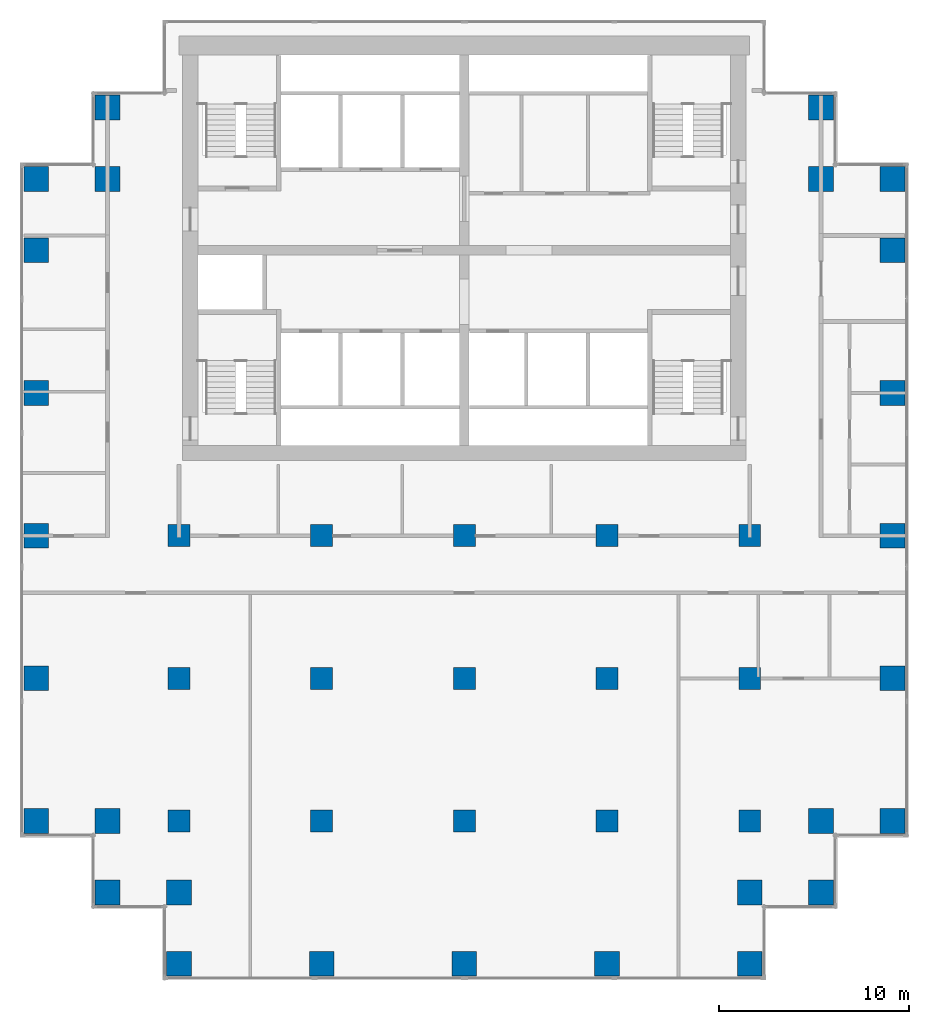
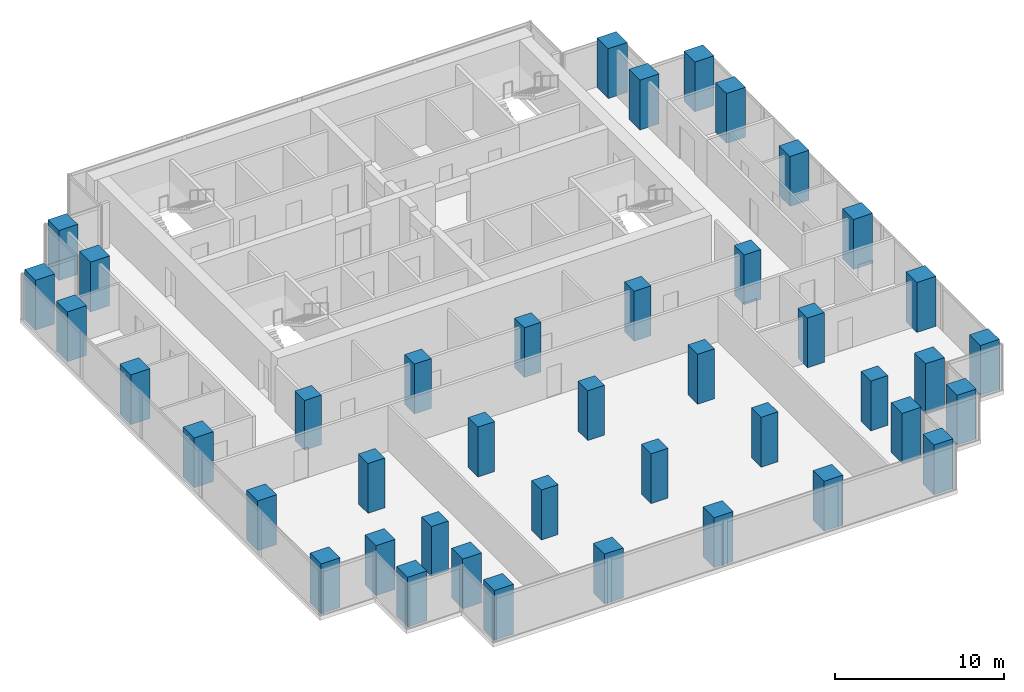
# One storey, part 1 of 10: 42 columns.
"""IFC4 building model written with IfcOpenShell, lengths in metres."""

from ifc_helpers import new_model, si_unit, direction, frame, origin, origin_2d, place, context, subcontext, project, spatial, rectangle, extrude, material, material_profile, profile_set, type_object, element, save


model = new_model("IFC4")

# Units and contexts
model_context = context("Model", 3, precision=1e-05, world=origin(), true_north=direction((0.0, 1.0)))
body_context = subcontext(model_context, "Body", "Model", "MODEL_VIEW")
ifc_project = project(units=[si_unit("LENGTHUNIT", "METRE"), si_unit("AREAUNIT", "SQUARE_METRE"), si_unit("VOLUMEUNIT", "CUBIC_METRE"), si_unit("PLANEANGLEUNIT", "RADIAN"), si_unit("MASSUNIT", "GRAM", prefix="KILO")], contexts=[model_context])

# Site, building, storey
site_placement = place(None, origin())
site = spatial("IfcSite", under=ifc_project, at=site_placement, CompositionType="ELEMENT")
building_placement = place(site_placement, origin())
building = spatial("IfcBuilding", under=site, at=building_placement, Name="Pilkhan Gate Tower", CompositionType="ELEMENT")
storey_placement = place(building_placement, frame((0.0, 0.0, 114.39990234375)))
storey = spatial("IfcBuildingStorey", under=building, at=storey_placement, Name="L28", CompositionType="ELEMENT", Elevation=114.39990234375)

# Columns
ifc_material = material(Name="Concrete C60/75", Category="concrete")
ifc_material_profile_1 = material_profile(ifc_material, rectangle(XDim=1.14990234375, YDim=1.14990234375, at=origin_2d()), Name="RC 1150x1150")
ifc_profile_set_1 = profile_set([ifc_material_profile_1], Name="Concrete C60/75")
column_type_1 = type_object("IfcColumnType", Name="Column C115 RC 1150x1150 C60/75", PredefinedType="COLUMN", material=ifc_profile_set_1)
for number, where, z_axis, x_axis, name in (
    (1, (60.0, 52.5, 0.0), (0.0, 0.0, 1.0), (1.0, 0.0, 0.0), "Column 7/D L28"),
    (2, (60.0, 60.0, 0.0), (0.0, 0.0, 1.0), (1.0, 0.0, 0.0), "Column 7/F L28"),
    (3, (60.0, 67.5, 0.0), (0.0, 0.0, 1.0), (1.0, 0.0, 0.0), "Column 7/H L28"),
    (4, (67.5, 52.5, 0.0), (0.0, 0.0, 1.0), (1.0, 0.0, 0.0), "Column 9/D L28"),
    (5, (67.5, 60.0, 0.0), (0.0, 0.0, 1.0), (1.0, 0.0, 0.0), "Column 9/F L28"),
    (6, (67.5, 67.5, 0.0), (0.0, 0.0, 1.0), (1.0, 0.0, 0.0), "Column 9/H L28"),
    (7, (75.0, 52.5, 0.0), (0.0, 0.0, 1.0), (1.0, 0.0, 0.0), "Column 11/D L28"),
    (8, (75.0, 60.0, 0.0), (0.0, 0.0, 1.0), (1.0, 0.0, 0.0), "Column 11/F L28"),
    (9, (75.0, 67.5, 0.0), (0.0, 0.0, 1.0), (1.0, 0.0, 0.0), "Column 11/H L28"),
    (10, (82.5, 52.5, 0.0), (0.0, 0.0, 1.0), (1.0, 0.0, 0.0), "Column 13/D L28"),
    (11, (82.5, 60.0, 0.0), (0.0, 0.0, 1.0), (1.0, 0.0, 0.0), "Column 13/F L28"),
    (12, (82.5, 67.5, 0.0), (0.0, 0.0, 1.0), (1.0, 0.0, 0.0), "Column 13/H L28"),
    (13, (90.0, 52.5, 0.0), (0.0, 0.0, 1.0), (1.0, 0.0, 0.0), "Column 15/D L28"),
    (14, (90.0, 60.0, 0.0), (0.0, 0.0, 1.0), (1.0, 0.0, 0.0), "Column 15/F L28"),
    (15, (90.0, 67.5, 0.0), (0.0, 0.0, 1.0), (1.0, 0.0, 0.0), "Column 15/H L28"),
):
    element("IfcColumn", number, at=place(storey_placement, frame(where, z_axis=z_axis, x_axis=x_axis)), inside=storey, type_object=column_type_1, Name=name, PredefinedType="COLUMN", context=body_context, shape_type="SweptSolid", body=[
        extrude(rectangle(XDim=1.14990234375, YDim=1.14990234375, at=origin_2d()), origin(), (0.0, 0.0, 1.0), 3.60009765625),
    ])
ifc_material_profile_2 = material_profile(ifc_material, rectangle(XDim=1.300048828125, YDim=1.300048828125, at=origin_2d()), Name="RC 1300x1300")
ifc_profile_set_2 = profile_set([ifc_material_profile_2], Name="Concrete C60/75")
column_type_2 = type_object("IfcColumnType", Name="Column C130 RC 1300x1300 C60/75", PredefinedType="COLUMN", material=ifc_profile_set_2)
for number, where, z_axis, x_axis, name in (
    (16, (52.5, 52.5, 0.0), (0.0, 0.0, 1.0), (1.0, 0.0, 0.0), "Column 5/D L28"),
    (17, (52.5, 60.0, 0.0), (0.0, 0.0, 1.0), (1.0, 0.0, 0.0), "Column 5/F L28"),
    (18, (52.5, 67.5, 0.0), (0.0, 0.0, 1.0), (1.0, 0.0, 0.0), "Column 5/H L28"),
    (19, (52.5, 75.0, 0.0), (0.0, 0.0, 1.0), (1.0, 0.0, 0.0), "Column 5/K L28"),
    (20, (52.5, 82.5, 0.0), (0.0, 0.0, 1.0), (1.0, 0.0, 0.0), "Column 5/M L28"),
    (21, (52.5, 86.25, 0.0), (0.0, 0.0, 1.0), (1.0, 0.0, 0.0), "Column 5/N L28"),
    (22, (56.25, 48.75, 0.0), (0.0, 0.0, 1.0), (1.0, 0.0, 0.0), "Column 6/C L28"),
    (23, (56.25, 52.5, 0.0), (0.0, 0.0, 1.0), (1.0, 0.0, 0.0), "Column 6/D L28"),
    (24, (56.25, 86.25, 0.0), (0.0, 0.0, 1.0), (1.0, 0.0, 0.0), "Column 6/N L28"),
    (25, (56.25, 90.0, 0.0), (0.0, 0.0, 1.0), (1.0, 0.0, 0.0), "Column 6/P L28"),
    (26, (60.0, 45.0, 0.0), (0.0, 0.0, 1.0), (1.0, 0.0, 0.0), "Column 7/B L28"),
    (27, (60.0, 48.75, 0.0), (0.0, 0.0, 1.0), (1.0, 0.0, 0.0), "Column 7/C L28"),
    (28, (67.5, 45.0, 0.0), (0.0, 0.0, 1.0), (1.0, 0.0, 0.0), "Column 9/B L28"),
    (29, (75.0, 45.0, 0.0), (0.0, 0.0, 1.0), (1.0, 0.0, 0.0), "Column 11/B L28"),
    (30, (82.5, 45.0, 0.0), (0.0, 0.0, 1.0), (1.0, 0.0, 0.0), "Column 13/B L28"),
    (31, (90.0, 45.0, 0.0), (0.0, 0.0, 1.0), (1.0, 0.0, 0.0), "Column 15/B L28"),
    (32, (90.0, 48.75, 0.0), (0.0, 0.0, 1.0), (1.0, 0.0, 0.0), "Column 15/C L28"),
    (33, (93.75, 48.75, 0.0), (0.0, 0.0, 1.0), (1.0, 0.0, 0.0), "Column 16/C L28"),
    (34, (93.75, 52.5, 0.0), (0.0, 0.0, 1.0), (1.0, 0.0, 0.0), "Column 16/D L28"),
    (35, (93.75, 86.25, 0.0), (0.0, 0.0, 1.0), (1.0, 0.0, 0.0), "Column 16/N L28"),
    (36, (93.75, 90.0, 0.0), (0.0, 0.0, 1.0), (1.0, 0.0, 0.0), "Column 16/P L28"),
    (37, (97.5, 52.5, 0.0), (0.0, 0.0, 1.0), (1.0, 0.0, 0.0), "Column 17/D L28"),
    (38, (97.5, 60.0, 0.0), (0.0, 0.0, 1.0), (1.0, 0.0, 0.0), "Column 17/F L28"),
    (39, (97.5, 67.5, 0.0), (0.0, 0.0, 1.0), (1.0, 0.0, 0.0), "Column 17/H L28"),
    (40, (97.5, 75.0, 0.0), (0.0, 0.0, 1.0), (1.0, 0.0, 0.0), "Column 17/K L28"),
    (41, (97.5, 82.5, 0.0), (0.0, 0.0, 1.0), (1.0, 0.0, 0.0), "Column 17/M L28"),
    (42, (97.5, 86.25, 0.0), (0.0, 0.0, 1.0), (1.0, 0.0, 0.0), "Column 17/N L28"),
):
    element("IfcColumn", number, at=place(storey_placement, frame(where, z_axis=z_axis, x_axis=x_axis)), inside=storey, type_object=column_type_2, Name=name, PredefinedType="COLUMN", context=body_context, shape_type="SweptSolid", body=[
        extrude(rectangle(XDim=1.300048828125, YDim=1.300048828125, at=origin_2d()), origin(), (0.0, 0.0, 1.0), 3.60009765625),
    ])

save(model, "model.ifc")
